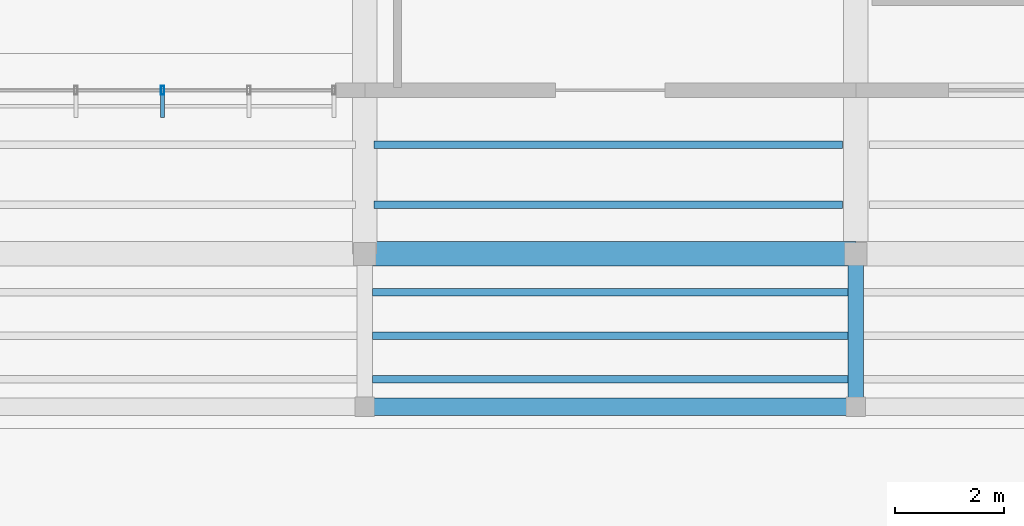
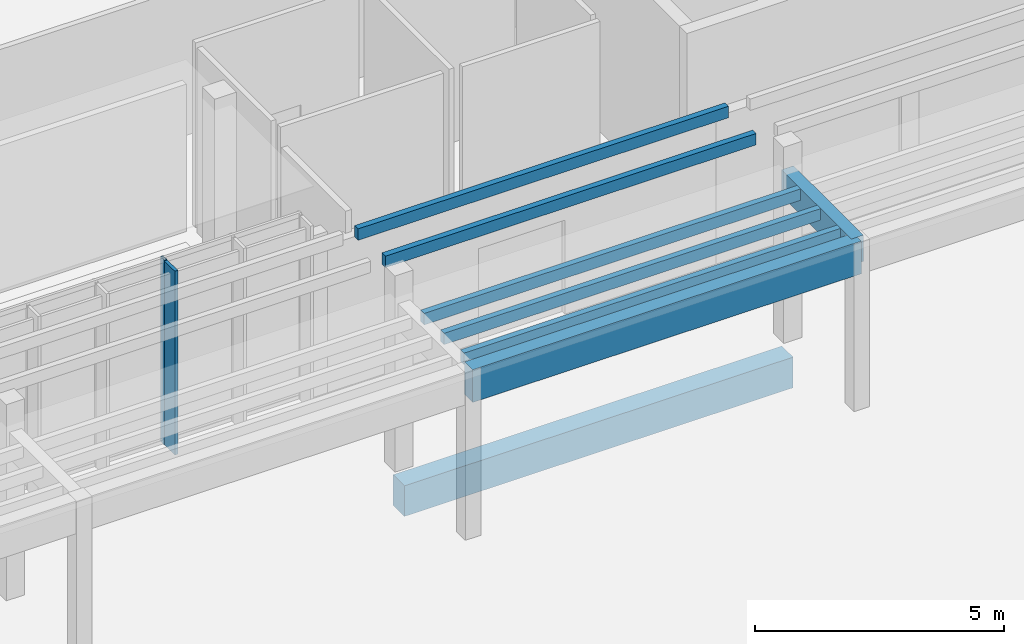
# One storey, part 34 of 151: 7 members, 3 beams, 1 element without a shape of its own.
"""IFC4 building model written with IfcOpenShell, lengths in metres."""

from ifc_helpers import new_model, si_unit, direction, frame, origin, origin_2d, place, context, subcontext, project, spatial, rectangle, hollow_rectangle, extrude, material, material_profile, profile_set, type_object, element, aggregate, save


model = new_model("IFC4")

# Units and contexts
model_context = context("Model", 3, precision=1e-05, world=origin(), true_north=direction((0.0, 1.0)))
body_context = subcontext(model_context, "Body", "Model", "MODEL_VIEW")
ifc_project = project(units=[si_unit("LENGTHUNIT", "METRE"), si_unit("AREAUNIT", "SQUARE_METRE"), si_unit("VOLUMEUNIT", "CUBIC_METRE"), si_unit("PLANEANGLEUNIT", "RADIAN"), si_unit("MASSUNIT", "GRAM", prefix="KILO")], contexts=[model_context])

# Site, building, storey
site_placement = place(None, origin())
site = spatial("IfcSite", under=ifc_project, at=site_placement, CompositionType="ELEMENT")
building_placement = place(site_placement, origin())
building = spatial("IfcBuilding", under=site, at=building_placement, Name="Chiffa Square Polytechnic", CompositionType="ELEMENT")
storey_placement = place(building_placement, origin())
storey = spatial("IfcBuildingStorey", under=building, at=storey_placement, Name="L00", CompositionType="ELEMENT", Elevation=0.0)

# Curtain wall, members
ifc_material_1 = material(Name="Aluminium EN AW-6060 T66 and glulam shading", Category="wood")
curtain_wall_type = type_object("IfcCurtainWallType", Name="CW-VERT-300X380", PredefinedType="USERDEFINED", material=ifc_material_1)
curtain_wall_placement = place(storey_placement, origin())
curtain_wall = element("IfcCurtainWall", 1, at=curtain_wall_placement, inside=storey, type_object=curtain_wall_type, Name="Curtain wall CW-V4-L00-179", ObjectType="CURTAIN WALL", PredefinedType="USERDEFINED")
ifc_material_2 = material(Name="Aluminium EN AW-6060 T66", Category="aluminium")
ifc_material_profile_1 = material_profile(ifc_material_2, hollow_rectangle(XDim=0.06005859375, YDim=0.159912109375, WallThickness=0.00390625, at=origin_2d()), Name="ALU 60x160x4")
ifc_profile_set_1 = profile_set([ifc_material_profile_1], Name="Aluminium EN AW-6060 T66")
member_type_1 = type_object("IfcMemberType", Name="CWM-ALU-65X150", PredefinedType="MULLION", material=ifc_profile_set_1)
member_1_placement = place(storey_placement, frame((80.89208984375, 24.60009765625, 0.0), z_axis=(0.0, 0.0, 1.0), x_axis=(1.0, 0.0, 0.0)))
member_1 = element("IfcMember", 2, at=member_1_placement, type_object=member_type_1, Name="Curtain wall mullion CW-V4-L00-179-M03", PredefinedType="MULLION", context=body_context, shape_type="SweptSolid", body=[
    extrude(hollow_rectangle(XDim=0.06005859375, YDim=0.159912109375, WallThickness=0.00390625, at=origin_2d()), origin(), (0.0, 0.0, 1.0), 4.52001953125),
])
ifc_material_3 = material(Name="Glulam GL28h", Category="wood")
ifc_material_profile_2 = material_profile(ifc_material_3, rectangle(XDim=0.070068359375, YDim=0.419921875, at=origin_2d()), Name="GL28h 70x420")
ifc_profile_set_2 = profile_set([ifc_material_profile_2], Name="Glulam GL28h")
member_type_2 = type_object("IfcMemberType", Name="CWM-GL-70X420", PredefinedType="MULLION", material=ifc_profile_set_2)
member_2_placement = place(storey_placement, frame((80.89208984375, 24.30810546875, 0.010009765625), z_axis=(0.0, 0.0, 1.0), x_axis=(1.0, 0.0, 0.0)))
member_2 = element("IfcMember", 3, at=member_2_placement, type_object=member_type_2, Name="Exterior glulam solar fin CW-V4-L00-179-FN03", PredefinedType="MULLION", context=body_context, shape_type="SweptSolid", body=[
    extrude(rectangle(XDim=0.070068359375, YDim=0.419921875, at=origin_2d()), origin(), (0.0, 0.0, 1.0), 4.5),
])
aggregate(curtain_wall, [member_1, member_2])

# Beam
ifc_material_4 = material(Name="Concrete C35/45", Category="concrete")
ifc_material_profile_3 = material_profile(ifc_material_4, rectangle(XDim=0.449951171875, YDim=0.75, at=origin_2d()), Name="RC 450x750")
ifc_profile_set_3 = profile_set([ifc_material_profile_3], Name="Concrete C35/45")
beam_type_1 = type_object("IfcBeamType", Name="GB-RC-450X750", PredefinedType="BEAM", material=ifc_profile_set_3)
beam_1_placement = place(storey_placement, frame((84.60009765625, 21.60009765625, -0.77490234375), z_axis=(1.0, 0.0, 0.0), x_axis=(0.0, 1.0, 0.0)))
element("IfcBeam", 4, at=beam_1_placement, inside=storey, type_object=beam_type_1, Name="Ground tie beam GB-V4-X-101", PredefinedType="BEAM", context=body_context, shape_type="SweptSolid", body=[
    extrude(rectangle(XDim=0.449951171875, YDim=0.75, at=origin_2d()), origin(), (0.0, 0.0, 1.0), 9.0),
])

# Members
ifc_material_profile_4 = material_profile(ifc_material_3, rectangle(XDim=0.139892578125, YDim=0.280029296875, at=origin_2d()), Name="GL28h 140x280")
ifc_profile_set_4 = profile_set([ifc_material_profile_4], Name="Glulam GL28h")
member_type_3 = type_object("IfcMemberType", Name="MEM-RFT-GL140", PredefinedType="RAFTER", material=ifc_profile_set_4)
for number, where, z_axis, x_axis, name in (
    (5, (84.739990234375, 19.300048828125, 3.9599609375), (1.0, 0.0, 0.0), (0.0, 1.0, 0.0), "Civic square timber pergola rafter RF-SQN-04-193"),
    (6, (84.739990234375, 20.10009765625, 3.9599609375), (1.0, 0.0, 0.0), (0.0, 1.0, 0.0), "Civic square timber pergola rafter RF-SQN-04-201"),
    (7, (84.739990234375, 20.89990234375, 3.9599609375), (1.0, 0.0, 0.0), (0.0, 1.0, 0.0), "Civic square timber pergola rafter RF-SQN-04-209"),
):
    element("IfcMember", number, at=place(storey_placement, frame(where, z_axis=z_axis, x_axis=x_axis)), inside=storey, type_object=member_type_3, Name=name, PredefinedType="RAFTER", context=body_context, shape_type="SweptSolid", body=[
        extrude(rectangle(XDim=0.139892578125, YDim=0.280029296875, at=origin_2d()), origin(), (0.0, 0.0, 1.0), 8.719970703125),
    ])
for number, where, z_axis, x_axis, name in (
    (8, (84.77294921875, 22.5, 4.382080078125), (1.0, 0.0, 0.0), (0.0, 1.0, 0.0), "Chiffa Square colonnade purlin rafter RF-COL-S-015"),
    (9, (84.77294921875, 23.60009765625, 4.382080078125), (1.0, 0.0, 0.0), (0.0, 1.0, 0.0), "Chiffa Square colonnade purlin rafter RF-COL-S-016"),
):
    element("IfcMember", number, at=place(storey_placement, frame(where, z_axis=z_axis, x_axis=x_axis)), inside=storey, type_object=member_type_3, Name=name, PredefinedType="RAFTER", context=body_context, shape_type="SweptSolid", body=[
        extrude(rectangle(XDim=0.139892578125, YDim=0.280029296875, at=origin_2d()), origin(), (0.0, 0.0, 1.0), 8.5791015625),
    ])

# Beams
ifc_material_profile_5 = material_profile(ifc_material_3, rectangle(XDim=0.280029296875, YDim=0.639892578125, at=origin_2d()), Name="GL28h 280x640")
ifc_profile_set_5 = profile_set([ifc_material_profile_5], Name="Glulam GL28h")
beam_type_2 = type_object("IfcBeamType", Name="RB-GL-280X640", PredefinedType="SPANDREL", material=ifc_profile_set_5)
beam_2_placement = place(storey_placement, frame((93.60009765625, 18.800048828125, 3.780029296875), z_axis=(0.0, 1.0, 0.0), x_axis=(-1.0, 0.0, 0.0)))
element("IfcBeam", 10, at=beam_2_placement, inside=storey, type_object=beam_type_2, Name="Civic square portico tie beam RB-SQN-TIE-05", PredefinedType="SPANDREL", context=body_context, shape_type="SweptSolid", body=[
    extrude(rectangle(XDim=0.280029296875, YDim=0.639892578125, at=origin_2d()), origin(), (0.0, 0.0, 1.0), 2.800048828125),
])
ifc_material_profile_6 = material_profile(ifc_material_3, rectangle(XDim=0.320068359375, YDim=0.800048828125, at=origin_2d()), Name="GL28h 320x800")
ifc_profile_set_6 = profile_set([ifc_material_profile_6], Name="Glulam GL28h")
beam_type_3 = type_object("IfcBeamType", Name="RB-GL-320X800", PredefinedType="SPANDREL", material=ifc_profile_set_6)
beam_3_placement = place(storey_placement, frame((84.60009765625, 18.800048828125, 3.699951171875), z_axis=(1.0, 0.0, 0.0), x_axis=(0.0, 1.0, 0.0)))
element("IfcBeam", 11, at=beam_3_placement, inside=storey, type_object=beam_type_3, Name="Civic square portico edge beam RB-SQN-EDGE-04", PredefinedType="SPANDREL", context=body_context, shape_type="SweptSolid", body=[
    extrude(rectangle(XDim=0.320068359375, YDim=0.800048828125, at=origin_2d()), origin(), (0.0, 0.0, 1.0), 9.0),
])

save(model, "model.ifc")
